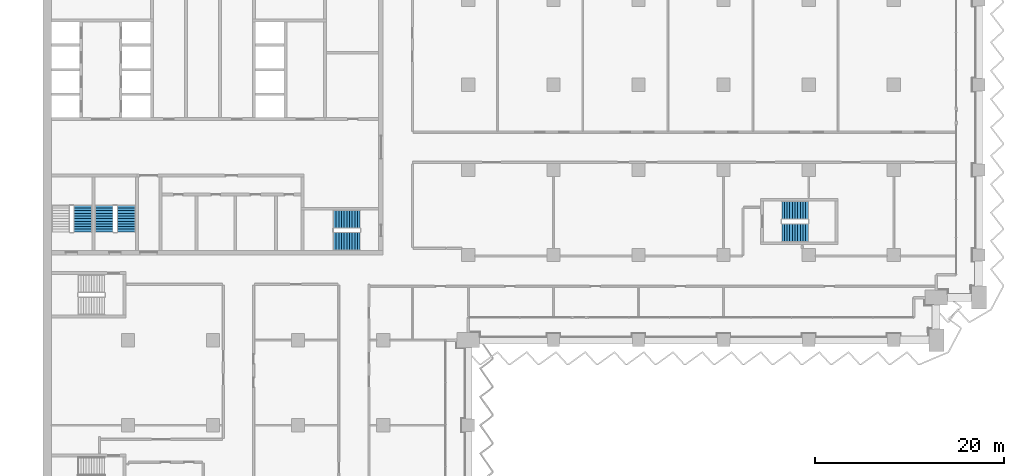
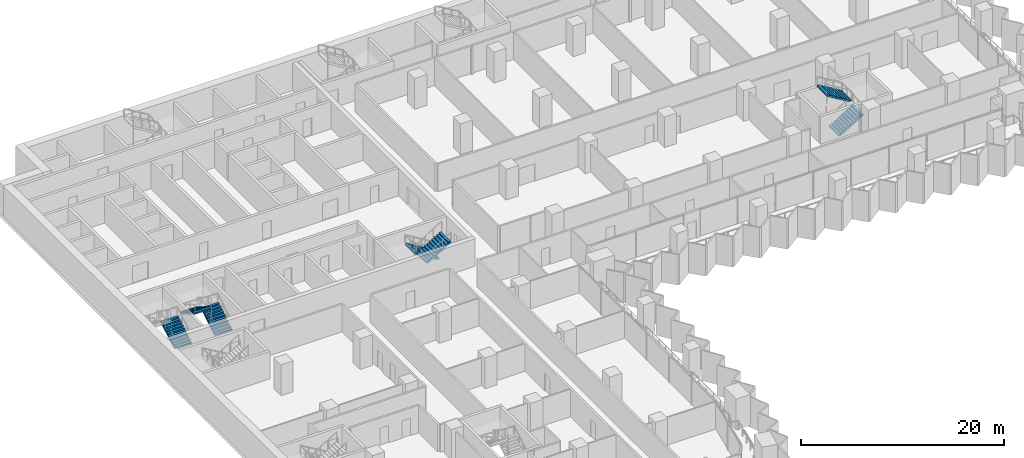
# One storey, part 21 of 29: 7 stair flights, 4 elements without a shape of their own.
"""IFC4 building model written with IfcOpenShell, lengths in metres."""

from ifc_helpers import new_model, si_unit, direction, frame, origin, place, context, subcontext, project, spatial, polyline, outline, extrude, material, type_object, element, aggregate, save


model = new_model("IFC4")

# Units and contexts
model_context = context("Model", 3, precision=1e-05, world=origin(), true_north=direction((0.0, 1.0)))
body_context = subcontext(model_context, "Body", "Model", "MODEL_VIEW")
ifc_project = project(units=[si_unit("LENGTHUNIT", "METRE"), si_unit("AREAUNIT", "SQUARE_METRE"), si_unit("VOLUMEUNIT", "CUBIC_METRE"), si_unit("PLANEANGLEUNIT", "RADIAN"), si_unit("MASSUNIT", "GRAM", prefix="KILO")], contexts=[model_context])

# Site, building, storey
site_placement = place(None, origin())
site = spatial("IfcSite", under=ifc_project, at=site_placement, CompositionType="ELEMENT")
building_placement = place(site_placement, origin())
building = spatial("IfcBuilding", under=site, at=building_placement, Name="Hunhe Ridgeline Campus", CompositionType="ELEMENT")
storey_placement = place(building_placement, frame((0.0, 0.0, 46.89990234375)))
storey = spatial("IfcBuildingStorey", under=building, at=storey_placement, Name="L10", CompositionType="ELEMENT", Elevation=46.89990234375)

# Stair, stair flights
ifc_material = material(Name="Concrete C40", Category="concrete")
stair_type = type_object("IfcStairType", Name="Reinforced concrete dog-leg stair 1950 Concrete C40", PredefinedType="HALF_TURN_STAIR", material=ifc_material)
stair_1_placement = place(storey_placement, origin())
stair_1 = element("IfcStair", 1, at=stair_1_placement, inside=storey, type_object=stair_type, Name="L10 S2", PredefinedType="HALF_TURN_STAIR")
stair_flight_type = type_object("IfcStairFlightType", Name="Reinforced concrete stair flight 1950 Concrete C40", PredefinedType="STRAIGHT", material=ifc_material)
stair_flight_1_placement = place(storey_placement, frame((33.550048828125, 66.77490234375, 0.0), z_axis=(0.0, 0.0, 1.0), x_axis=(-1.0, 0.0, 0.0)))
stair_flight_1 = element("IfcStairFlight", 2, at=stair_flight_1_placement, type_object=stair_flight_type, Name="ST2 flight 1", NumberOfRisers=11, NumberOfTreads=10, PredefinedType="STRAIGHT", RiserHeight=0.168181818, TreadLength=0.28, context=body_context, shape_type="SweptSolid", body=[
    extrude(outline(polyline([(0.0, 0.0), (0.0, 0.168212890625), (0.280029296875, 0.168212890625), (0.280029296875, 0.33642578125), (0.56005859375, 0.33642578125), (0.56005859375, 0.504638671875), (0.840087890625, 0.504638671875), (0.840087890625, 0.672607421875), (1.1201171875, 0.672607421875), (1.1201171875, 0.8408203125), (1.39990234375, 0.8408203125), (1.39990234375, 1.009033203125), (1.679931640625, 1.009033203125), (1.679931640625, 1.17724609375), (1.9599609375, 1.17724609375), (1.9599609375, 1.345458984375), (2.239990234375, 1.345458984375), (2.239990234375, 1.513671875), (2.52001953125, 1.513671875), (2.52001953125, 1.681884765625), (2.800048828125, 1.681884765625), (2.800048828125, 1.85009765625), (2.800048828125, 1.5068359375), (0.291015625, 0.0), (0.0, 0.0)])), frame((0.0, 0.97509765625, 0.0), z_axis=(0.0, -1.0, 0.0), x_axis=(1.0, 0.0, 0.0)), (0.0, 0.0, 1.0), 1.949951171875),
    extrude(outline(polyline([(0.030029296875, 0.030029296875), (0.030029296875, 0.13818359375), (0.31005859375, 0.13818359375), (0.31005859375, 0.306396484375), (0.590087890625, 0.306396484375), (0.590087890625, 0.474609375), (0.8701171875, 0.474609375), (0.8701171875, 0.642578125), (1.14990234375, 0.642578125), (1.14990234375, 0.810791015625), (1.429931640625, 0.810791015625), (1.429931640625, 0.97900390625), (1.7099609375, 0.97900390625), (1.7099609375, 1.147216796875), (1.989990234375, 1.147216796875), (1.989990234375, 1.3154296875), (2.27001953125, 1.3154296875), (2.27001953125, 1.483642578125), (2.550048828125, 1.483642578125), (2.550048828125, 1.65185546875), (2.77001953125, 1.65185546875), (2.77001953125, 1.52392578125), (0.28271484375, 0.030029296875), (0.030029296875, 0.030029296875)])), frame((0.0, -0.070068359375, 0.0), z_axis=(0.0, -1.0, 0.0), x_axis=(1.0, 0.0, 0.0)), (0.0, 0.0, 1.0), 0.019775390625),
    extrude(outline(polyline([(0.030029296875, 0.030029296875), (0.030029296875, 0.13818359375), (0.31005859375, 0.13818359375), (0.31005859375, 0.306396484375), (0.590087890625, 0.306396484375), (0.590087890625, 0.474609375), (0.8701171875, 0.474609375), (0.8701171875, 0.642578125), (1.14990234375, 0.642578125), (1.14990234375, 0.810791015625), (1.429931640625, 0.810791015625), (1.429931640625, 0.97900390625), (1.7099609375, 0.97900390625), (1.7099609375, 1.147216796875), (1.989990234375, 1.147216796875), (1.989990234375, 1.3154296875), (2.27001953125, 1.3154296875), (2.27001953125, 1.483642578125), (2.550048828125, 1.483642578125), (2.550048828125, 1.65185546875), (2.77001953125, 1.65185546875), (2.77001953125, 1.52392578125), (0.28271484375, 0.030029296875), (0.030029296875, 0.030029296875)])), frame((0.0, 0.010009765625, 0.0), z_axis=(0.0, -1.0, 0.0), x_axis=(1.0, 0.0, 0.0)), (0.0, 0.0, 1.0), 0.019775390625),
    extrude(outline(polyline([(0.030029296875, 0.030029296875), (0.030029296875, 0.13818359375), (0.31005859375, 0.13818359375), (0.31005859375, 0.306396484375), (0.590087890625, 0.306396484375), (0.590087890625, 0.474609375), (0.8701171875, 0.474609375), (0.8701171875, 0.642578125), (1.14990234375, 0.642578125), (1.14990234375, 0.810791015625), (1.429931640625, 0.810791015625), (1.429931640625, 0.97900390625), (1.7099609375, 0.97900390625), (1.7099609375, 1.147216796875), (1.989990234375, 1.147216796875), (1.989990234375, 1.3154296875), (2.27001953125, 1.3154296875), (2.27001953125, 1.483642578125), (2.550048828125, 1.483642578125), (2.550048828125, 1.65185546875), (2.77001953125, 1.65185546875), (2.77001953125, 1.52392578125), (0.28271484375, 0.030029296875), (0.030029296875, 0.030029296875)])), frame((0.0, 0.090087890625, 0.0), z_axis=(0.0, -1.0, 0.0), x_axis=(1.0, 0.0, 0.0)), (0.0, 0.0, 1.0), 0.019775390625),
])
stair_flight_2_placement = place(storey_placement, frame((30.75, 64.47509765625, 1.85009765625), z_axis=(0.0, 0.0, 1.0), x_axis=(1.0, 0.0, 0.0)))
stair_flight_2 = element("IfcStairFlight", 3, at=stair_flight_2_placement, type_object=stair_flight_type, Name="ST2 flight 2", NumberOfRisers=11, NumberOfTreads=10, PredefinedType="STRAIGHT", RiserHeight=0.168181818, TreadLength=0.28, context=body_context, shape_type="SweptSolid", body=[
    extrude(outline(polyline([(0.0, 0.0), (0.0, 0.168212890625), (0.280029296875, 0.168212890625), (0.280029296875, 0.33642578125), (0.56005859375, 0.33642578125), (0.56005859375, 0.504638671875), (0.840087890625, 0.504638671875), (0.840087890625, 0.672607421875), (1.1201171875, 0.672607421875), (1.1201171875, 0.8408203125), (1.39990234375, 0.8408203125), (1.39990234375, 1.009033203125), (1.679931640625, 1.009033203125), (1.679931640625, 1.17724609375), (1.9599609375, 1.17724609375), (1.9599609375, 1.345458984375), (2.239990234375, 1.345458984375), (2.239990234375, 1.513671875), (2.52001953125, 1.513671875), (2.52001953125, 1.681884765625), (2.800048828125, 1.681884765625), (2.800048828125, 1.85009765625), (2.800048828125, 1.5068359375), (0.291015625, 0.0), (0.0, 0.0)])), frame((0.0, 0.97509765625, 0.0), z_axis=(0.0, -1.0, 0.0), x_axis=(1.0, 0.0, 0.0)), (0.0, 0.0, 1.0), 1.949951171875),
    extrude(outline(polyline([(0.030029296875, 0.030029296875), (0.030029296875, 0.13818359375), (0.31005859375, 0.13818359375), (0.31005859375, 0.306396484375), (0.590087890625, 0.306396484375), (0.590087890625, 0.474609375), (0.8701171875, 0.474609375), (0.8701171875, 0.642578125), (1.14990234375, 0.642578125), (1.14990234375, 0.810791015625), (1.429931640625, 0.810791015625), (1.429931640625, 0.97900390625), (1.7099609375, 0.97900390625), (1.7099609375, 1.147216796875), (1.989990234375, 1.147216796875), (1.989990234375, 1.3154296875), (2.27001953125, 1.3154296875), (2.27001953125, 1.483642578125), (2.550048828125, 1.483642578125), (2.550048828125, 1.65185546875), (2.77001953125, 1.65185546875), (2.77001953125, 1.52392578125), (0.28271484375, 0.030029296875), (0.030029296875, 0.030029296875)])), frame((0.0, -0.070068359375, 0.0), z_axis=(0.0, -1.0, 0.0), x_axis=(1.0, 0.0, 0.0)), (0.0, 0.0, 1.0), 0.019775390625),
    extrude(outline(polyline([(0.030029296875, 0.030029296875), (0.030029296875, 0.13818359375), (0.31005859375, 0.13818359375), (0.31005859375, 0.306396484375), (0.590087890625, 0.306396484375), (0.590087890625, 0.474609375), (0.8701171875, 0.474609375), (0.8701171875, 0.642578125), (1.14990234375, 0.642578125), (1.14990234375, 0.810791015625), (1.429931640625, 0.810791015625), (1.429931640625, 0.97900390625), (1.7099609375, 0.97900390625), (1.7099609375, 1.147216796875), (1.989990234375, 1.147216796875), (1.989990234375, 1.3154296875), (2.27001953125, 1.3154296875), (2.27001953125, 1.483642578125), (2.550048828125, 1.483642578125), (2.550048828125, 1.65185546875), (2.77001953125, 1.65185546875), (2.77001953125, 1.52392578125), (0.28271484375, 0.030029296875), (0.030029296875, 0.030029296875)])), frame((0.0, 0.010009765625, 0.0), z_axis=(0.0, -1.0, 0.0), x_axis=(1.0, 0.0, 0.0)), (0.0, 0.0, 1.0), 0.019775390625),
    extrude(outline(polyline([(0.030029296875, 0.030029296875), (0.030029296875, 0.13818359375), (0.31005859375, 0.13818359375), (0.31005859375, 0.306396484375), (0.590087890625, 0.306396484375), (0.590087890625, 0.474609375), (0.8701171875, 0.474609375), (0.8701171875, 0.642578125), (1.14990234375, 0.642578125), (1.14990234375, 0.810791015625), (1.429931640625, 0.810791015625), (1.429931640625, 0.97900390625), (1.7099609375, 0.97900390625), (1.7099609375, 1.147216796875), (1.989990234375, 1.147216796875), (1.989990234375, 1.3154296875), (2.27001953125, 1.3154296875), (2.27001953125, 1.483642578125), (2.550048828125, 1.483642578125), (2.550048828125, 1.65185546875), (2.77001953125, 1.65185546875), (2.77001953125, 1.52392578125), (0.28271484375, 0.030029296875), (0.030029296875, 0.030029296875)])), frame((0.0, 0.090087890625, 0.0), z_axis=(0.0, -1.0, 0.0), x_axis=(1.0, 0.0, 0.0)), (0.0, 0.0, 1.0), 0.019775390625),
])
aggregate(stair_1, [stair_flight_1, stair_flight_2])

# Stair, stair flight
stair_2_placement = place(storey_placement, origin())
stair_2 = element("IfcStair", 4, at=stair_2_placement, inside=storey, type_object=stair_type, Name="L10 S3", PredefinedType="HALF_TURN_STAIR")
stair_flight_3_placement = place(storey_placement, frame((4.22509765625, 65.449951171875, 0.0), z_axis=(0.0, 0.0, 1.0), x_axis=(0.0, 1.0, 0.0)))
stair_flight_3 = element("IfcStairFlight", 5, at=stair_flight_3_placement, type_object=stair_flight_type, Name="ST3 flight 1", NumberOfRisers=11, NumberOfTreads=10, PredefinedType="STRAIGHT", RiserHeight=0.168181818, TreadLength=0.28, context=body_context, shape_type="SweptSolid", body=[
    extrude(outline(polyline([(0.0, 0.0), (0.0, 0.168212890625), (0.280029296875, 0.168212890625), (0.280029296875, 0.33642578125), (0.56005859375, 0.33642578125), (0.56005859375, 0.504638671875), (0.840087890625, 0.504638671875), (0.840087890625, 0.672607421875), (1.1201171875, 0.672607421875), (1.1201171875, 0.8408203125), (1.39990234375, 0.8408203125), (1.39990234375, 1.009033203125), (1.679931640625, 1.009033203125), (1.679931640625, 1.17724609375), (1.9599609375, 1.17724609375), (1.9599609375, 1.345458984375), (2.239990234375, 1.345458984375), (2.239990234375, 1.513671875), (2.52001953125, 1.513671875), (2.52001953125, 1.681884765625), (2.800048828125, 1.681884765625), (2.800048828125, 1.85009765625), (2.800048828125, 1.5068359375), (0.291015625, 0.0), (0.0, 0.0)])), frame((0.0, 0.97509765625, 0.0), z_axis=(0.0, -1.0, 0.0), x_axis=(1.0, 0.0, 0.0)), (0.0, 0.0, 1.0), 1.949951171875),
    extrude(outline(polyline([(0.030029296875, 0.030029296875), (0.030029296875, 0.13818359375), (0.31005859375, 0.13818359375), (0.31005859375, 0.306396484375), (0.590087890625, 0.306396484375), (0.590087890625, 0.474609375), (0.8701171875, 0.474609375), (0.8701171875, 0.642578125), (1.14990234375, 0.642578125), (1.14990234375, 0.810791015625), (1.429931640625, 0.810791015625), (1.429931640625, 0.97900390625), (1.7099609375, 0.97900390625), (1.7099609375, 1.147216796875), (1.989990234375, 1.147216796875), (1.989990234375, 1.3154296875), (2.27001953125, 1.3154296875), (2.27001953125, 1.483642578125), (2.550048828125, 1.483642578125), (2.550048828125, 1.65185546875), (2.77001953125, 1.65185546875), (2.77001953125, 1.52392578125), (0.28271484375, 0.030029296875), (0.030029296875, 0.030029296875)])), frame((0.0, -0.070068359375, 0.0), z_axis=(0.0, -1.0, 0.0), x_axis=(1.0, 0.0, 0.0)), (0.0, 0.0, 1.0), 0.019775390625),
    extrude(outline(polyline([(0.030029296875, 0.030029296875), (0.030029296875, 0.13818359375), (0.31005859375, 0.13818359375), (0.31005859375, 0.306396484375), (0.590087890625, 0.306396484375), (0.590087890625, 0.474609375), (0.8701171875, 0.474609375), (0.8701171875, 0.642578125), (1.14990234375, 0.642578125), (1.14990234375, 0.810791015625), (1.429931640625, 0.810791015625), (1.429931640625, 0.97900390625), (1.7099609375, 0.97900390625), (1.7099609375, 1.147216796875), (1.989990234375, 1.147216796875), (1.989990234375, 1.3154296875), (2.27001953125, 1.3154296875), (2.27001953125, 1.483642578125), (2.550048828125, 1.483642578125), (2.550048828125, 1.65185546875), (2.77001953125, 1.65185546875), (2.77001953125, 1.52392578125), (0.28271484375, 0.030029296875), (0.030029296875, 0.030029296875)])), frame((0.0, 0.010009765625, 0.0), z_axis=(0.0, -1.0, 0.0), x_axis=(1.0, 0.0, 0.0)), (0.0, 0.0, 1.0), 0.019775390625),
    extrude(outline(polyline([(0.030029296875, 0.030029296875), (0.030029296875, 0.13818359375), (0.31005859375, 0.13818359375), (0.31005859375, 0.306396484375), (0.590087890625, 0.306396484375), (0.590087890625, 0.474609375), (0.8701171875, 0.474609375), (0.8701171875, 0.642578125), (1.14990234375, 0.642578125), (1.14990234375, 0.810791015625), (1.429931640625, 0.810791015625), (1.429931640625, 0.97900390625), (1.7099609375, 0.97900390625), (1.7099609375, 1.147216796875), (1.989990234375, 1.147216796875), (1.989990234375, 1.3154296875), (2.27001953125, 1.3154296875), (2.27001953125, 1.483642578125), (2.550048828125, 1.483642578125), (2.550048828125, 1.65185546875), (2.77001953125, 1.65185546875), (2.77001953125, 1.52392578125), (0.28271484375, 0.030029296875), (0.030029296875, 0.030029296875)])), frame((0.0, 0.090087890625, 0.0), z_axis=(0.0, -1.0, 0.0), x_axis=(1.0, 0.0, 0.0)), (0.0, 0.0, 1.0), 0.019775390625),
])
aggregate(stair_2, [stair_flight_3])

# Stair, stair flights
stair_3_placement = place(storey_placement, origin())
stair_3 = element("IfcStair", 6, at=stair_3_placement, inside=storey, type_object=stair_type, Name="L10 S4", PredefinedType="HALF_TURN_STAIR")
stair_flight_4_placement = place(storey_placement, frame((8.824951171875, 65.449951171875, 0.0), z_axis=(0.0, 0.0, 1.0), x_axis=(0.0, 1.0, 0.0)))
stair_flight_4 = element("IfcStairFlight", 7, at=stair_flight_4_placement, type_object=stair_flight_type, Name="ST4 flight 1", NumberOfRisers=11, NumberOfTreads=10, PredefinedType="STRAIGHT", RiserHeight=0.168181818, TreadLength=0.28, context=body_context, shape_type="SweptSolid", body=[
    extrude(outline(polyline([(0.0, 0.0), (0.0, 0.168212890625), (0.280029296875, 0.168212890625), (0.280029296875, 0.33642578125), (0.56005859375, 0.33642578125), (0.56005859375, 0.504638671875), (0.840087890625, 0.504638671875), (0.840087890625, 0.672607421875), (1.1201171875, 0.672607421875), (1.1201171875, 0.8408203125), (1.39990234375, 0.8408203125), (1.39990234375, 1.009033203125), (1.679931640625, 1.009033203125), (1.679931640625, 1.17724609375), (1.9599609375, 1.17724609375), (1.9599609375, 1.345458984375), (2.239990234375, 1.345458984375), (2.239990234375, 1.513671875), (2.52001953125, 1.513671875), (2.52001953125, 1.681884765625), (2.800048828125, 1.681884765625), (2.800048828125, 1.85009765625), (2.800048828125, 1.5068359375), (0.291015625, 0.0), (0.0, 0.0)])), frame((0.0, 0.97509765625, 0.0), z_axis=(0.0, -1.0, 0.0), x_axis=(1.0, 0.0, 0.0)), (0.0, 0.0, 1.0), 1.949951171875),
    extrude(outline(polyline([(0.030029296875, 0.030029296875), (0.030029296875, 0.13818359375), (0.31005859375, 0.13818359375), (0.31005859375, 0.306396484375), (0.590087890625, 0.306396484375), (0.590087890625, 0.474609375), (0.8701171875, 0.474609375), (0.8701171875, 0.642578125), (1.14990234375, 0.642578125), (1.14990234375, 0.810791015625), (1.429931640625, 0.810791015625), (1.429931640625, 0.97900390625), (1.7099609375, 0.97900390625), (1.7099609375, 1.147216796875), (1.989990234375, 1.147216796875), (1.989990234375, 1.3154296875), (2.27001953125, 1.3154296875), (2.27001953125, 1.483642578125), (2.550048828125, 1.483642578125), (2.550048828125, 1.65185546875), (2.77001953125, 1.65185546875), (2.77001953125, 1.52392578125), (0.28271484375, 0.030029296875), (0.030029296875, 0.030029296875)])), frame((0.0, -0.070068359375, 0.0), z_axis=(0.0, -1.0, 0.0), x_axis=(1.0, 0.0, 0.0)), (0.0, 0.0, 1.0), 0.019775390625),
    extrude(outline(polyline([(0.030029296875, 0.030029296875), (0.030029296875, 0.13818359375), (0.31005859375, 0.13818359375), (0.31005859375, 0.306396484375), (0.590087890625, 0.306396484375), (0.590087890625, 0.474609375), (0.8701171875, 0.474609375), (0.8701171875, 0.642578125), (1.14990234375, 0.642578125), (1.14990234375, 0.810791015625), (1.429931640625, 0.810791015625), (1.429931640625, 0.97900390625), (1.7099609375, 0.97900390625), (1.7099609375, 1.147216796875), (1.989990234375, 1.147216796875), (1.989990234375, 1.3154296875), (2.27001953125, 1.3154296875), (2.27001953125, 1.483642578125), (2.550048828125, 1.483642578125), (2.550048828125, 1.65185546875), (2.77001953125, 1.65185546875), (2.77001953125, 1.52392578125), (0.28271484375, 0.030029296875), (0.030029296875, 0.030029296875)])), frame((0.0, 0.010009765625, 0.0), z_axis=(0.0, -1.0, 0.0), x_axis=(1.0, 0.0, 0.0)), (0.0, 0.0, 1.0), 0.019775390625),
    extrude(outline(polyline([(0.030029296875, 0.030029296875), (0.030029296875, 0.13818359375), (0.31005859375, 0.13818359375), (0.31005859375, 0.306396484375), (0.590087890625, 0.306396484375), (0.590087890625, 0.474609375), (0.8701171875, 0.474609375), (0.8701171875, 0.642578125), (1.14990234375, 0.642578125), (1.14990234375, 0.810791015625), (1.429931640625, 0.810791015625), (1.429931640625, 0.97900390625), (1.7099609375, 0.97900390625), (1.7099609375, 1.147216796875), (1.989990234375, 1.147216796875), (1.989990234375, 1.3154296875), (2.27001953125, 1.3154296875), (2.27001953125, 1.483642578125), (2.550048828125, 1.483642578125), (2.550048828125, 1.65185546875), (2.77001953125, 1.65185546875), (2.77001953125, 1.52392578125), (0.28271484375, 0.030029296875), (0.030029296875, 0.030029296875)])), frame((0.0, 0.090087890625, 0.0), z_axis=(0.0, -1.0, 0.0), x_axis=(1.0, 0.0, 0.0)), (0.0, 0.0, 1.0), 0.019775390625),
])
stair_flight_5_placement = place(storey_placement, frame((6.47509765625, 68.25, 1.85009765625), z_axis=(0.0, 0.0, 1.0), x_axis=(0.0, -1.0, 0.0)))
stair_flight_5 = element("IfcStairFlight", 8, at=stair_flight_5_placement, type_object=stair_flight_type, Name="ST4 flight 2", NumberOfRisers=11, NumberOfTreads=10, PredefinedType="STRAIGHT", RiserHeight=0.168181818, TreadLength=0.28, context=body_context, shape_type="SweptSolid", body=[
    extrude(outline(polyline([(0.0, 0.0), (0.0, 0.168212890625), (0.280029296875, 0.168212890625), (0.280029296875, 0.33642578125), (0.56005859375, 0.33642578125), (0.56005859375, 0.504638671875), (0.840087890625, 0.504638671875), (0.840087890625, 0.672607421875), (1.1201171875, 0.672607421875), (1.1201171875, 0.8408203125), (1.39990234375, 0.8408203125), (1.39990234375, 1.009033203125), (1.679931640625, 1.009033203125), (1.679931640625, 1.17724609375), (1.9599609375, 1.17724609375), (1.9599609375, 1.345458984375), (2.239990234375, 1.345458984375), (2.239990234375, 1.513671875), (2.52001953125, 1.513671875), (2.52001953125, 1.681884765625), (2.800048828125, 1.681884765625), (2.800048828125, 1.85009765625), (2.800048828125, 1.5068359375), (0.291015625, 0.0), (0.0, 0.0)])), frame((0.0, 0.97509765625, 0.0), z_axis=(0.0, -1.0, 0.0), x_axis=(1.0, 0.0, 0.0)), (0.0, 0.0, 1.0), 1.949951171875),
    extrude(outline(polyline([(0.030029296875, 0.030029296875), (0.030029296875, 0.13818359375), (0.31005859375, 0.13818359375), (0.31005859375, 0.306396484375), (0.590087890625, 0.306396484375), (0.590087890625, 0.474609375), (0.8701171875, 0.474609375), (0.8701171875, 0.642578125), (1.14990234375, 0.642578125), (1.14990234375, 0.810791015625), (1.429931640625, 0.810791015625), (1.429931640625, 0.97900390625), (1.7099609375, 0.97900390625), (1.7099609375, 1.147216796875), (1.989990234375, 1.147216796875), (1.989990234375, 1.3154296875), (2.27001953125, 1.3154296875), (2.27001953125, 1.483642578125), (2.550048828125, 1.483642578125), (2.550048828125, 1.65185546875), (2.77001953125, 1.65185546875), (2.77001953125, 1.52392578125), (0.28271484375, 0.030029296875), (0.030029296875, 0.030029296875)])), frame((0.0, -0.070068359375, 0.0), z_axis=(0.0, -1.0, 0.0), x_axis=(1.0, 0.0, 0.0)), (0.0, 0.0, 1.0), 0.019775390625),
    extrude(outline(polyline([(0.030029296875, 0.030029296875), (0.030029296875, 0.13818359375), (0.31005859375, 0.13818359375), (0.31005859375, 0.306396484375), (0.590087890625, 0.306396484375), (0.590087890625, 0.474609375), (0.8701171875, 0.474609375), (0.8701171875, 0.642578125), (1.14990234375, 0.642578125), (1.14990234375, 0.810791015625), (1.429931640625, 0.810791015625), (1.429931640625, 0.97900390625), (1.7099609375, 0.97900390625), (1.7099609375, 1.147216796875), (1.989990234375, 1.147216796875), (1.989990234375, 1.3154296875), (2.27001953125, 1.3154296875), (2.27001953125, 1.483642578125), (2.550048828125, 1.483642578125), (2.550048828125, 1.65185546875), (2.77001953125, 1.65185546875), (2.77001953125, 1.52392578125), (0.28271484375, 0.030029296875), (0.030029296875, 0.030029296875)])), frame((0.0, 0.010009765625, 0.0), z_axis=(0.0, -1.0, 0.0), x_axis=(1.0, 0.0, 0.0)), (0.0, 0.0, 1.0), 0.019775390625),
    extrude(outline(polyline([(0.030029296875, 0.030029296875), (0.030029296875, 0.13818359375), (0.31005859375, 0.13818359375), (0.31005859375, 0.306396484375), (0.590087890625, 0.306396484375), (0.590087890625, 0.474609375), (0.8701171875, 0.474609375), (0.8701171875, 0.642578125), (1.14990234375, 0.642578125), (1.14990234375, 0.810791015625), (1.429931640625, 0.810791015625), (1.429931640625, 0.97900390625), (1.7099609375, 0.97900390625), (1.7099609375, 1.147216796875), (1.989990234375, 1.147216796875), (1.989990234375, 1.3154296875), (2.27001953125, 1.3154296875), (2.27001953125, 1.483642578125), (2.550048828125, 1.483642578125), (2.550048828125, 1.65185546875), (2.77001953125, 1.65185546875), (2.77001953125, 1.52392578125), (0.28271484375, 0.030029296875), (0.030029296875, 0.030029296875)])), frame((0.0, 0.090087890625, 0.0), z_axis=(0.0, -1.0, 0.0), x_axis=(1.0, 0.0, 0.0)), (0.0, 0.0, 1.0), 0.019775390625),
])
aggregate(stair_3, [stair_flight_4, stair_flight_5])

stair_4_placement = place(storey_placement, origin())
stair_4 = element("IfcStair", 9, at=stair_4_placement, inside=storey, type_object=stair_type, Name="L10 E5", PredefinedType="HALF_TURN_STAIR")
stair_flight_6_placement = place(storey_placement, frame((78.14990234375, 65.375, 0.0), z_axis=(0.0, 0.0, 1.0), x_axis=(1.0, 0.0, 0.0)))
stair_flight_6 = element("IfcStairFlight", 10, at=stair_flight_6_placement, type_object=stair_flight_type, Name="ST10 flight 1", NumberOfRisers=11, NumberOfTreads=10, PredefinedType="STRAIGHT", RiserHeight=0.168181818, TreadLength=0.28, context=body_context, shape_type="SweptSolid", body=[
    extrude(outline(polyline([(0.0, 0.0), (0.0, 0.168212890625), (0.280029296875, 0.168212890625), (0.280029296875, 0.33642578125), (0.56005859375, 0.33642578125), (0.56005859375, 0.504638671875), (0.840087890625, 0.504638671875), (0.840087890625, 0.672607421875), (1.1201171875, 0.672607421875), (1.1201171875, 0.8408203125), (1.39990234375, 0.8408203125), (1.39990234375, 1.009033203125), (1.679931640625, 1.009033203125), (1.679931640625, 1.17724609375), (1.9599609375, 1.17724609375), (1.9599609375, 1.345458984375), (2.239990234375, 1.345458984375), (2.239990234375, 1.513671875), (2.52001953125, 1.513671875), (2.52001953125, 1.681884765625), (2.800048828125, 1.681884765625), (2.800048828125, 1.85009765625), (2.800048828125, 1.5068359375), (0.291015625, 0.0), (0.0, 0.0)])), frame((0.0, 0.97509765625, 0.0), z_axis=(0.0, -1.0, 0.0), x_axis=(1.0, 0.0, 0.0)), (0.0, 0.0, 1.0), 1.949951171875),
    extrude(outline(polyline([(0.030029296875, 0.030029296875), (0.030029296875, 0.13818359375), (0.31005859375, 0.13818359375), (0.31005859375, 0.306396484375), (0.590087890625, 0.306396484375), (0.590087890625, 0.474609375), (0.8701171875, 0.474609375), (0.8701171875, 0.642578125), (1.14990234375, 0.642578125), (1.14990234375, 0.810791015625), (1.429931640625, 0.810791015625), (1.429931640625, 0.97900390625), (1.7099609375, 0.97900390625), (1.7099609375, 1.147216796875), (1.989990234375, 1.147216796875), (1.989990234375, 1.3154296875), (2.27001953125, 1.3154296875), (2.27001953125, 1.483642578125), (2.550048828125, 1.483642578125), (2.550048828125, 1.65185546875), (2.77001953125, 1.65185546875), (2.77001953125, 1.52392578125), (0.28271484375, 0.030029296875), (0.030029296875, 0.030029296875)])), frame((0.0, -0.070068359375, 0.0), z_axis=(0.0, -1.0, 0.0), x_axis=(1.0, 0.0, 0.0)), (0.0, 0.0, 1.0), 0.019775390625),
    extrude(outline(polyline([(0.030029296875, 0.030029296875), (0.030029296875, 0.13818359375), (0.31005859375, 0.13818359375), (0.31005859375, 0.306396484375), (0.590087890625, 0.306396484375), (0.590087890625, 0.474609375), (0.8701171875, 0.474609375), (0.8701171875, 0.642578125), (1.14990234375, 0.642578125), (1.14990234375, 0.810791015625), (1.429931640625, 0.810791015625), (1.429931640625, 0.97900390625), (1.7099609375, 0.97900390625), (1.7099609375, 1.147216796875), (1.989990234375, 1.147216796875), (1.989990234375, 1.3154296875), (2.27001953125, 1.3154296875), (2.27001953125, 1.483642578125), (2.550048828125, 1.483642578125), (2.550048828125, 1.65185546875), (2.77001953125, 1.65185546875), (2.77001953125, 1.52392578125), (0.28271484375, 0.030029296875), (0.030029296875, 0.030029296875)])), frame((0.0, 0.010009765625, 0.0), z_axis=(0.0, -1.0, 0.0), x_axis=(1.0, 0.0, 0.0)), (0.0, 0.0, 1.0), 0.019775390625),
    extrude(outline(polyline([(0.030029296875, 0.030029296875), (0.030029296875, 0.13818359375), (0.31005859375, 0.13818359375), (0.31005859375, 0.306396484375), (0.590087890625, 0.306396484375), (0.590087890625, 0.474609375), (0.8701171875, 0.474609375), (0.8701171875, 0.642578125), (1.14990234375, 0.642578125), (1.14990234375, 0.810791015625), (1.429931640625, 0.810791015625), (1.429931640625, 0.97900390625), (1.7099609375, 0.97900390625), (1.7099609375, 1.147216796875), (1.989990234375, 1.147216796875), (1.989990234375, 1.3154296875), (2.27001953125, 1.3154296875), (2.27001953125, 1.483642578125), (2.550048828125, 1.483642578125), (2.550048828125, 1.65185546875), (2.77001953125, 1.65185546875), (2.77001953125, 1.52392578125), (0.28271484375, 0.030029296875), (0.030029296875, 0.030029296875)])), frame((0.0, 0.090087890625, 0.0), z_axis=(0.0, -1.0, 0.0), x_axis=(1.0, 0.0, 0.0)), (0.0, 0.0, 1.0), 0.019775390625),
])
stair_flight_7_placement = place(storey_placement, frame((80.949951171875, 67.72509765625, 1.85009765625), z_axis=(0.0, 0.0, 1.0), x_axis=(-1.0, 0.0, 0.0)))
stair_flight_7 = element("IfcStairFlight", 11, at=stair_flight_7_placement, type_object=stair_flight_type, Name="ST10 flight 2", NumberOfRisers=11, NumberOfTreads=10, PredefinedType="STRAIGHT", RiserHeight=0.168181818, TreadLength=0.28, context=body_context, shape_type="SweptSolid", body=[
    extrude(outline(polyline([(0.0, 0.0), (0.0, 0.168212890625), (0.280029296875, 0.168212890625), (0.280029296875, 0.33642578125), (0.56005859375, 0.33642578125), (0.56005859375, 0.504638671875), (0.840087890625, 0.504638671875), (0.840087890625, 0.672607421875), (1.1201171875, 0.672607421875), (1.1201171875, 0.8408203125), (1.39990234375, 0.8408203125), (1.39990234375, 1.009033203125), (1.679931640625, 1.009033203125), (1.679931640625, 1.17724609375), (1.9599609375, 1.17724609375), (1.9599609375, 1.345458984375), (2.239990234375, 1.345458984375), (2.239990234375, 1.513671875), (2.52001953125, 1.513671875), (2.52001953125, 1.681884765625), (2.800048828125, 1.681884765625), (2.800048828125, 1.85009765625), (2.800048828125, 1.5068359375), (0.291015625, 0.0), (0.0, 0.0)])), frame((0.0, 0.97509765625, 0.0), z_axis=(0.0, -1.0, 0.0), x_axis=(1.0, 0.0, 0.0)), (0.0, 0.0, 1.0), 1.949951171875),
    extrude(outline(polyline([(0.030029296875, 0.030029296875), (0.030029296875, 0.13818359375), (0.31005859375, 0.13818359375), (0.31005859375, 0.306396484375), (0.590087890625, 0.306396484375), (0.590087890625, 0.474609375), (0.8701171875, 0.474609375), (0.8701171875, 0.642578125), (1.14990234375, 0.642578125), (1.14990234375, 0.810791015625), (1.429931640625, 0.810791015625), (1.429931640625, 0.97900390625), (1.7099609375, 0.97900390625), (1.7099609375, 1.147216796875), (1.989990234375, 1.147216796875), (1.989990234375, 1.3154296875), (2.27001953125, 1.3154296875), (2.27001953125, 1.483642578125), (2.550048828125, 1.483642578125), (2.550048828125, 1.65185546875), (2.77001953125, 1.65185546875), (2.77001953125, 1.52392578125), (0.28271484375, 0.030029296875), (0.030029296875, 0.030029296875)])), frame((0.0, -0.070068359375, 0.0), z_axis=(0.0, -1.0, 0.0), x_axis=(1.0, 0.0, 0.0)), (0.0, 0.0, 1.0), 0.019775390625),
    extrude(outline(polyline([(0.030029296875, 0.030029296875), (0.030029296875, 0.13818359375), (0.31005859375, 0.13818359375), (0.31005859375, 0.306396484375), (0.590087890625, 0.306396484375), (0.590087890625, 0.474609375), (0.8701171875, 0.474609375), (0.8701171875, 0.642578125), (1.14990234375, 0.642578125), (1.14990234375, 0.810791015625), (1.429931640625, 0.810791015625), (1.429931640625, 0.97900390625), (1.7099609375, 0.97900390625), (1.7099609375, 1.147216796875), (1.989990234375, 1.147216796875), (1.989990234375, 1.3154296875), (2.27001953125, 1.3154296875), (2.27001953125, 1.483642578125), (2.550048828125, 1.483642578125), (2.550048828125, 1.65185546875), (2.77001953125, 1.65185546875), (2.77001953125, 1.52392578125), (0.28271484375, 0.030029296875), (0.030029296875, 0.030029296875)])), frame((0.0, 0.010009765625, 0.0), z_axis=(0.0, -1.0, 0.0), x_axis=(1.0, 0.0, 0.0)), (0.0, 0.0, 1.0), 0.019775390625),
    extrude(outline(polyline([(0.030029296875, 0.030029296875), (0.030029296875, 0.13818359375), (0.31005859375, 0.13818359375), (0.31005859375, 0.306396484375), (0.590087890625, 0.306396484375), (0.590087890625, 0.474609375), (0.8701171875, 0.474609375), (0.8701171875, 0.642578125), (1.14990234375, 0.642578125), (1.14990234375, 0.810791015625), (1.429931640625, 0.810791015625), (1.429931640625, 0.97900390625), (1.7099609375, 0.97900390625), (1.7099609375, 1.147216796875), (1.989990234375, 1.147216796875), (1.989990234375, 1.3154296875), (2.27001953125, 1.3154296875), (2.27001953125, 1.483642578125), (2.550048828125, 1.483642578125), (2.550048828125, 1.65185546875), (2.77001953125, 1.65185546875), (2.77001953125, 1.52392578125), (0.28271484375, 0.030029296875), (0.030029296875, 0.030029296875)])), frame((0.0, 0.090087890625, 0.0), z_axis=(0.0, -1.0, 0.0), x_axis=(1.0, 0.0, 0.0)), (0.0, 0.0, 1.0), 0.019775390625),
])
aggregate(stair_4, [stair_flight_6, stair_flight_7])

save(model, "model.ifc")
